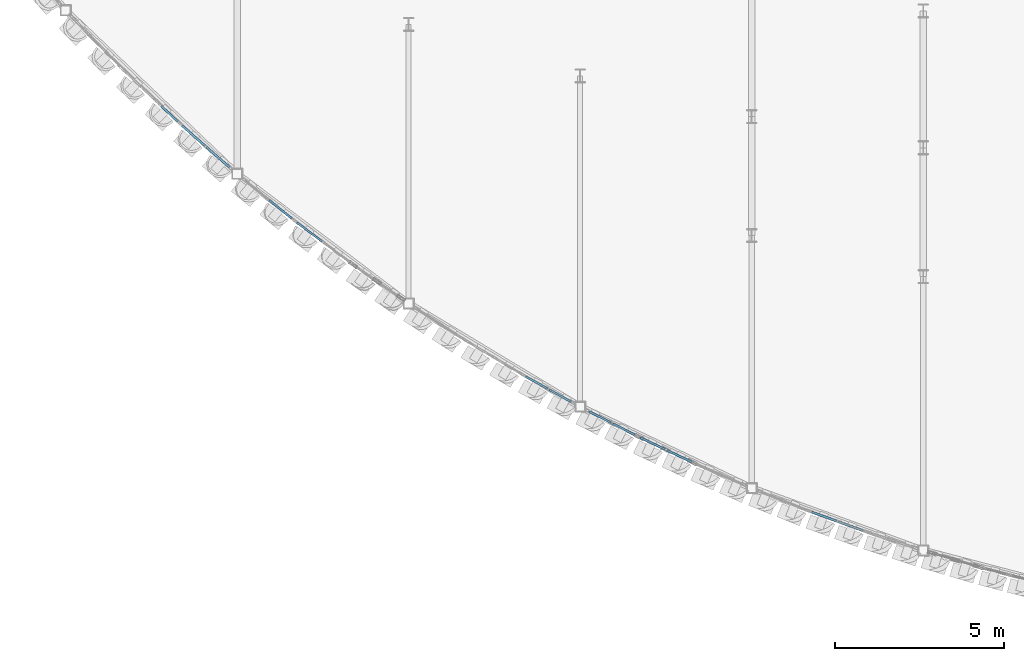
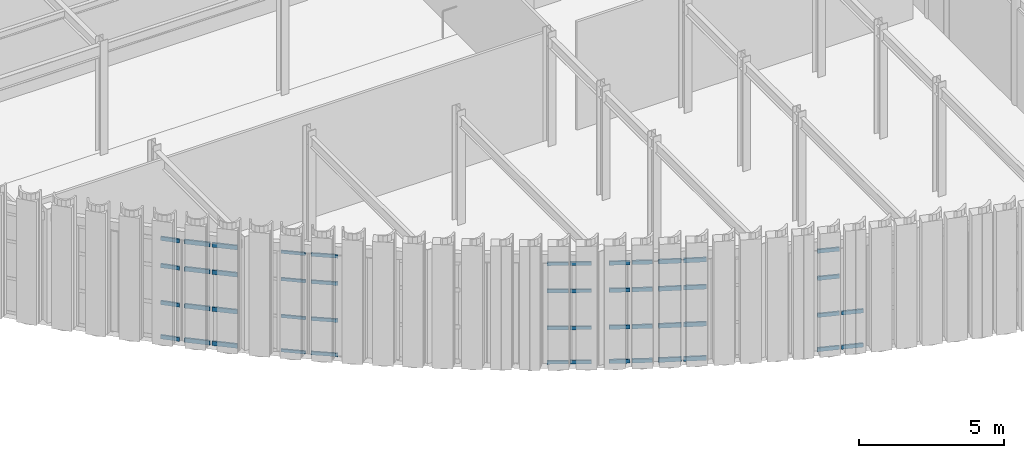
# One storey, part 71 of 126: 50 members, 8 elements without a shape of their own.
"""IFC4 building model written with IfcOpenShell, lengths in metres."""

from ifc_helpers import new_model, si_unit, direction, frame, origin, origin_2d, place, context, subcontext, project, spatial, hollow_rectangle, extrude, material, layer, layer_set, material_profile, profile_set, type_object, element, aggregate, save


model = new_model("IFC4")

# Units and contexts
model_context = context("Model", 3, precision=1e-05, world=origin(), true_north=direction((0.0, 1.0)))
body_context = subcontext(model_context, "Body", "Model", "MODEL_VIEW")
ifc_project = project(units=[si_unit("LENGTHUNIT", "METRE"), si_unit("AREAUNIT", "SQUARE_METRE"), si_unit("VOLUMEUNIT", "CUBIC_METRE"), si_unit("PLANEANGLEUNIT", "RADIAN"), si_unit("MASSUNIT", "GRAM", prefix="KILO")], contexts=[model_context])

# Site, building, storey
site_placement = place(None, origin())
site = spatial("IfcSite", under=ifc_project, at=site_placement, CompositionType="ELEMENT")
building_placement = place(site_placement, origin())
building = spatial("IfcBuilding", under=site, at=building_placement, Name="Solvadek Multi-Sports Hall", CompositionType="ELEMENT")
storey_placement = place(building_placement, frame((0.0, 0.0, 9.60009765625)))
storey = spatial("IfcBuildingStorey", under=building, at=storey_placement, Name="L02", CompositionType="ELEMENT", Elevation=9.60009765625)

# Curtain wall, members
ifc_material = material(Name="Anodised aluminium", Category="aluminium")
ifc_layer_1 = layer(ifc_material, 0.159912109375, Name="Anodised aluminium")
ifc_layer_set_1 = layer_set([ifc_layer_1], Name="Anodised aluminium")
curtain_wall_type_1 = type_object("IfcCurtainWallType", Name="ENV-CW-190X420", PredefinedType="USERDEFINED", material=ifc_layer_set_1)
curtain_wall_1_placement = place(storey_placement, origin())
curtain_wall_1 = element("IfcCurtainWall", 1, at=curtain_wall_1_placement, inside=storey, type_object=curtain_wall_type_1, Name="L02 Crescent Curved Curtain Wall #20", ObjectType="CURTAIN WALL", PredefinedType="USERDEFINED")
ifc_material_profile_1 = material_profile(ifc_material, hollow_rectangle(XDim=0.06005859375, YDim=0.1201171875, WallThickness=0.00390625, at=origin_2d()), Name="ALU-T 120x60x4")
ifc_profile_set_1 = profile_set([ifc_material_profile_1], Name="Anodised aluminium")
member_type_1 = type_object("IfcMemberType", Name="ENV-CWT-01", PredefinedType="USERDEFINED", material=ifc_profile_set_1)
member_1_placement = place(storey_placement, frame((42.58642578125, -0.2275390625, 0.02978515625), z_axis=(0.775659544347, -0.631151543817, 0.0), x_axis=(0.631151543817, 0.775659544347, 0.0)))
member_1 = element("IfcMember", 2, at=member_1_placement, type_object=member_type_1, Name="CW-09 transom 2.1", ObjectType="TRANSOM", PredefinedType="USERDEFINED", context=body_context, shape_type="SweptSolid", body=[
    extrude(hollow_rectangle(XDim=0.06005859375, YDim=0.1201171875, WallThickness=0.00390625, at=origin_2d()), origin(), (0.0, 0.0, 1.0), 0.85498046875),
])
member_2_placement = place(storey_placement, frame((42.58642578125, -0.2275390625, 1.469970703125), z_axis=(0.775659544347, -0.631151543817, 0.0), x_axis=(0.631151543817, 0.775659544347, 0.0)))
member_2 = element("IfcMember", 3, at=member_2_placement, type_object=member_type_1, Name="CW-09 transom 2.2", ObjectType="TRANSOM", PredefinedType="USERDEFINED", context=body_context, shape_type="SweptSolid", body=[
    extrude(hollow_rectangle(XDim=0.06005859375, YDim=0.1201171875, WallThickness=0.00390625, at=origin_2d()), origin(), (0.0, 0.0, 1.0), 0.85498046875),
])
member_3_placement = place(storey_placement, frame((42.58642578125, -0.2275390625, 3.02392578125), z_axis=(0.775659544347, -0.631151543817, 0.0), x_axis=(0.631151543817, 0.775659544347, 0.0)))
member_3 = element("IfcMember", 4, at=member_3_placement, type_object=member_type_1, Name="CW-09 transom 2.3", ObjectType="TRANSOM", PredefinedType="USERDEFINED", context=body_context, shape_type="SweptSolid", body=[
    extrude(hollow_rectangle(XDim=0.06005859375, YDim=0.1201171875, WallThickness=0.00390625, at=origin_2d()), origin(), (0.0, 0.0, 1.0), 0.85498046875),
])
member_4_placement = place(storey_placement, frame((42.58642578125, -0.2275390625, 4.169921875), z_axis=(0.775659544347, -0.631151543817, 0.0), x_axis=(0.631151543817, 0.775659544347, 0.0)))
member_4 = element("IfcMember", 5, at=member_4_placement, type_object=member_type_1, Name="CW-09 transom 2.4", ObjectType="TRANSOM", PredefinedType="USERDEFINED", context=body_context, shape_type="SweptSolid", body=[
    extrude(hollow_rectangle(XDim=0.06005859375, YDim=0.1201171875, WallThickness=0.00390625, at=origin_2d()), origin(), (0.0, 0.0, 1.0), 0.85498046875),
])
aggregate(curtain_wall_1, [member_1, member_2, member_3, member_4])

ifc_layer_2 = layer(ifc_material, 0.159912109375, Name="Anodised aluminium")
ifc_layer_set_2 = layer_set([ifc_layer_2], Name="Anodised aluminium")
curtain_wall_type_2 = type_object("IfcCurtainWallType", Name="ENV-CW-205X420", PredefinedType="USERDEFINED", material=ifc_layer_set_2)
curtain_wall_2_placement = place(storey_placement, origin())
curtain_wall_2 = element("IfcCurtainWall", 6, at=curtain_wall_2_placement, inside=storey, type_object=curtain_wall_type_2, Name="L02 Crescent Curved Curtain Wall #22", ObjectType="CURTAIN WALL", PredefinedType="USERDEFINED")
ifc_material_profile_2 = material_profile(ifc_material, hollow_rectangle(XDim=0.06005859375, YDim=0.139892578125, WallThickness=0.00390625, at=origin_2d()), Name="ALU-T 140x60x4")
ifc_profile_set_2 = profile_set([ifc_material_profile_2], Name="Anodised aluminium")
member_type_2 = type_object("IfcMemberType", Name="ENV-CWT-02", PredefinedType="USERDEFINED", material=ifc_profile_set_2)
member_5_placement = place(storey_placement, frame((43.399169921875, -0.884033203125, 0.02978515625), z_axis=(0.798546713545, -0.601932842007, 0.0), x_axis=(0.601932842007, 0.798546713545, 0.0)))
member_5 = element("IfcMember", 7, at=member_5_placement, type_object=member_type_2, Name="CW-10 transom 1.1", ObjectType="TRANSOM", PredefinedType="USERDEFINED", context=body_context, shape_type="SweptSolid", body=[
    extrude(hollow_rectangle(XDim=0.06005859375, YDim=0.139892578125, WallThickness=0.00390625, at=origin_2d()), origin(), (0.0, 0.0, 1.0), 0.9287109375),
])
member_6_placement = place(storey_placement, frame((43.399169921875, -0.884033203125, 1.469970703125), z_axis=(0.798546713545, -0.601932842007, 0.0), x_axis=(0.601932842007, 0.798546713545, 0.0)))
member_6 = element("IfcMember", 8, at=member_6_placement, type_object=member_type_2, Name="CW-10 transom 1.2", ObjectType="TRANSOM", PredefinedType="USERDEFINED", context=body_context, shape_type="SweptSolid", body=[
    extrude(hollow_rectangle(XDim=0.06005859375, YDim=0.139892578125, WallThickness=0.00390625, at=origin_2d()), origin(), (0.0, 0.0, 1.0), 0.9287109375),
])
member_7_placement = place(storey_placement, frame((43.399169921875, -0.884033203125, 3.02392578125), z_axis=(0.798546713545, -0.601932842007, 0.0), x_axis=(0.601932842007, 0.798546713545, 0.0)))
member_7 = element("IfcMember", 9, at=member_7_placement, type_object=member_type_2, Name="CW-10 transom 1.3", ObjectType="TRANSOM", PredefinedType="USERDEFINED", context=body_context, shape_type="SweptSolid", body=[
    extrude(hollow_rectangle(XDim=0.06005859375, YDim=0.139892578125, WallThickness=0.00390625, at=origin_2d()), origin(), (0.0, 0.0, 1.0), 0.9287109375),
])
member_8_placement = place(storey_placement, frame((43.399169921875, -0.884033203125, 4.169921875), z_axis=(0.798546713545, -0.601932842007, 0.0), x_axis=(0.601932842007, 0.798546713545, 0.0)))
member_8 = element("IfcMember", 10, at=member_8_placement, type_object=member_type_2, Name="CW-10 transom 1.4", ObjectType="TRANSOM", PredefinedType="USERDEFINED", context=body_context, shape_type="SweptSolid", body=[
    extrude(hollow_rectangle(XDim=0.06005859375, YDim=0.139892578125, WallThickness=0.00390625, at=origin_2d()), origin(), (0.0, 0.0, 1.0), 0.9287109375),
])
aggregate(curtain_wall_2, [member_5, member_6, member_7, member_8])

ifc_layer_3 = layer(ifc_material, 0.159912109375, Name="Anodised aluminium")
ifc_layer_set_3 = layer_set([ifc_layer_3], Name="Anodised aluminium")
curtain_wall_type_3 = type_object("IfcCurtainWallType", Name="ENV-CW-166X420", PredefinedType="USERDEFINED", material=ifc_layer_set_3)
curtain_wall_3_placement = place(storey_placement, origin())
curtain_wall_3 = element("IfcCurtainWall", 11, at=curtain_wall_3_placement, inside=storey, type_object=curtain_wall_type_3, Name="L02 Crescent Curved Curtain Wall #30", ObjectType="CURTAIN WALL", PredefinedType="USERDEFINED")
member_9_placement = place(storey_placement, frame((50.15380859375, -5.431884765625, 0.02978515625), z_axis=(0.873826950853, -0.486237040921, 0.0), x_axis=(0.486237040921, 0.873826950853, 0.0)))
member_9 = element("IfcMember", 12, at=member_9_placement, type_object=member_type_2, Name="CW-14 transom 1.1", ObjectType="TRANSOM", PredefinedType="USERDEFINED", context=body_context, shape_type="SweptSolid", body=[
    extrude(hollow_rectangle(XDim=0.06005859375, YDim=0.139892578125, WallThickness=0.00390625, at=origin_2d()), origin(), (0.0, 0.0, 1.0), 0.732666015625),
])
member_10_placement = place(storey_placement, frame((50.15380859375, -5.431884765625, 1.469970703125), z_axis=(0.873826950853, -0.486237040921, 0.0), x_axis=(0.486237040921, 0.873826950853, 0.0)))
member_10 = element("IfcMember", 13, at=member_10_placement, type_object=member_type_2, Name="CW-14 transom 1.2", ObjectType="TRANSOM", PredefinedType="USERDEFINED", context=body_context, shape_type="SweptSolid", body=[
    extrude(hollow_rectangle(XDim=0.06005859375, YDim=0.139892578125, WallThickness=0.00390625, at=origin_2d()), origin(), (0.0, 0.0, 1.0), 0.732666015625),
])
member_11_placement = place(storey_placement, frame((50.15380859375, -5.431884765625, 3.02392578125), z_axis=(0.873826950853, -0.486237040921, 0.0), x_axis=(0.486237040921, 0.873826950853, 0.0)))
member_11 = element("IfcMember", 14, at=member_11_placement, type_object=member_type_2, Name="CW-14 transom 1.3", ObjectType="TRANSOM", PredefinedType="USERDEFINED", context=body_context, shape_type="SweptSolid", body=[
    extrude(hollow_rectangle(XDim=0.06005859375, YDim=0.139892578125, WallThickness=0.00390625, at=origin_2d()), origin(), (0.0, 0.0, 1.0), 0.732666015625),
])
member_12_placement = place(storey_placement, frame((50.15380859375, -5.431884765625, 4.169921875), z_axis=(0.873826950853, -0.486237040921, 0.0), x_axis=(0.486237040921, 0.873826950853, 0.0)))
member_12 = element("IfcMember", 15, at=member_12_placement, type_object=member_type_2, Name="CW-14 transom 1.4", ObjectType="TRANSOM", PredefinedType="USERDEFINED", context=body_context, shape_type="SweptSolid", body=[
    extrude(hollow_rectangle(XDim=0.06005859375, YDim=0.139892578125, WallThickness=0.00390625, at=origin_2d()), origin(), (0.0, 0.0, 1.0), 0.732666015625),
])
member_13_placement = place(storey_placement, frame((50.850830078125, -5.819580078125, 0.02978515625), z_axis=(0.873905709662, -0.486095474799, 0.0), x_axis=(0.486095474799, 0.873905709662, 0.0)))
member_13 = element("IfcMember", 16, at=member_13_placement, type_object=member_type_2, Name="CW-14 transom 2.1", ObjectType="TRANSOM", PredefinedType="USERDEFINED", context=body_context, shape_type="SweptSolid", body=[
    extrude(hollow_rectangle(XDim=0.06005859375, YDim=0.139892578125, WallThickness=0.00390625, at=origin_2d()), origin(), (0.0, 0.0, 1.0), 0.732666015625),
])
member_14_placement = place(storey_placement, frame((50.850830078125, -5.819580078125, 1.469970703125), z_axis=(0.873905709662, -0.486095474799, 0.0), x_axis=(0.486095474799, 0.873905709662, 0.0)))
member_14 = element("IfcMember", 17, at=member_14_placement, type_object=member_type_2, Name="CW-14 transom 2.2", ObjectType="TRANSOM", PredefinedType="USERDEFINED", context=body_context, shape_type="SweptSolid", body=[
    extrude(hollow_rectangle(XDim=0.06005859375, YDim=0.139892578125, WallThickness=0.00390625, at=origin_2d()), origin(), (0.0, 0.0, 1.0), 0.732666015625),
])
member_15_placement = place(storey_placement, frame((50.850830078125, -5.819580078125, 3.02392578125), z_axis=(0.873905709662, -0.486095474799, 0.0), x_axis=(0.486095474799, 0.873905709662, 0.0)))
member_15 = element("IfcMember", 18, at=member_15_placement, type_object=member_type_2, Name="CW-14 transom 2.3", ObjectType="TRANSOM", PredefinedType="USERDEFINED", context=body_context, shape_type="SweptSolid", body=[
    extrude(hollow_rectangle(XDim=0.06005859375, YDim=0.139892578125, WallThickness=0.00390625, at=origin_2d()), origin(), (0.0, 0.0, 1.0), 0.732666015625),
])
member_16_placement = place(storey_placement, frame((50.850830078125, -5.819580078125, 4.169921875), z_axis=(0.873905709662, -0.486095474799, 0.0), x_axis=(0.486095474799, 0.873905709662, 0.0)))
member_16 = element("IfcMember", 19, at=member_16_placement, type_object=member_type_2, Name="CW-14 transom 2.4", ObjectType="TRANSOM", PredefinedType="USERDEFINED", context=body_context, shape_type="SweptSolid", body=[
    extrude(hollow_rectangle(XDim=0.06005859375, YDim=0.139892578125, WallThickness=0.00390625, at=origin_2d()), origin(), (0.0, 0.0, 1.0), 0.732666015625),
])
aggregate(curtain_wall_3, [member_9, member_10, member_11, member_12, member_13, member_14, member_15, member_16])

ifc_layer_4 = layer(ifc_material, 0.159912109375, Name="Anodised aluminium")
ifc_layer_set_4 = layer_set([ifc_layer_4], Name="Anodised aluminium")
curtain_wall_type_4 = type_object("IfcCurtainWallType", Name="ENV-CW-227X420", PredefinedType="USERDEFINED", material=ifc_layer_set_4)
curtain_wall_4_placement = place(storey_placement, origin())
curtain_wall_4 = element("IfcCurtainWall", 20, at=curtain_wall_4_placement, inside=storey, type_object=curtain_wall_type_4, Name="L02 Crescent Curved Curtain Wall #16", ObjectType="CURTAIN WALL", PredefinedType="USERDEFINED")
ifc_material_profile_3 = material_profile(ifc_material, hollow_rectangle(XDim=0.06494140625, YDim=0.159912109375, WallThickness=0.00390625, at=origin_2d()), Name="ALU-T 160x65x4")
ifc_profile_set_3 = profile_set([ifc_material_profile_3], Name="Anodised aluminium")
member_type_3 = type_object("IfcMemberType", Name="ENV-CWT-03", PredefinedType="USERDEFINED", material=ifc_profile_set_3)
member_17_placement = place(storey_placement, frame((39.40185546875, 2.54833984375, 0.032470703125), z_axis=(0.724669722166, -0.689096360298, 0.0), x_axis=(0.689096360298, 0.724669722166, 0.0)))
member_17 = element("IfcMember", 21, at=member_17_placement, type_object=member_type_3, Name="CW-06 transom 3.1", ObjectType="TRANSOM", PredefinedType="USERDEFINED", context=body_context, shape_type="SweptSolid", body=[
    extrude(hollow_rectangle(XDim=0.06494140625, YDim=0.159912109375, WallThickness=0.00390625, at=origin_2d()), origin(), (0.0, 0.0, 1.0), 0.665771484375),
])
member_18_placement = place(storey_placement, frame((39.40185546875, 2.54833984375, 1.469970703125), z_axis=(0.724669722166, -0.689096360298, 0.0), x_axis=(0.689096360298, 0.724669722166, 0.0)))
member_18 = element("IfcMember", 22, at=member_18_placement, type_object=member_type_3, Name="CW-06 transom 3.2", ObjectType="TRANSOM", PredefinedType="USERDEFINED", context=body_context, shape_type="SweptSolid", body=[
    extrude(hollow_rectangle(XDim=0.06494140625, YDim=0.159912109375, WallThickness=0.00390625, at=origin_2d()), origin(), (0.0, 0.0, 1.0), 0.665771484375),
])
member_19_placement = place(storey_placement, frame((39.40185546875, 2.54833984375, 3.02392578125), z_axis=(0.724669722166, -0.689096360298, 0.0), x_axis=(0.689096360298, 0.724669722166, 0.0)))
member_19 = element("IfcMember", 23, at=member_19_placement, type_object=member_type_3, Name="CW-06 transom 3.3", ObjectType="TRANSOM", PredefinedType="USERDEFINED", context=body_context, shape_type="SweptSolid", body=[
    extrude(hollow_rectangle(XDim=0.06494140625, YDim=0.159912109375, WallThickness=0.00390625, at=origin_2d()), origin(), (0.0, 0.0, 1.0), 0.665771484375),
])
member_20_placement = place(storey_placement, frame((39.40185546875, 2.54833984375, 4.16748046875), z_axis=(0.724669722166, -0.689096360298, 0.0), x_axis=(0.689096360298, 0.724669722166, 0.0)))
member_20 = element("IfcMember", 24, at=member_20_placement, type_object=member_type_3, Name="CW-06 transom 3.4", ObjectType="TRANSOM", PredefinedType="USERDEFINED", context=body_context, shape_type="SweptSolid", body=[
    extrude(hollow_rectangle(XDim=0.06494140625, YDim=0.159912109375, WallThickness=0.00390625, at=origin_2d()), origin(), (0.0, 0.0, 1.0), 0.665771484375),
])
aggregate(curtain_wall_4, [member_17, member_18, member_19, member_20])

ifc_layer_5 = layer(ifc_material, 0.159912109375, Name="Anodised aluminium")
ifc_layer_set_5 = layer_set([ifc_layer_5], Name="Anodised aluminium")
curtain_wall_type_5 = type_object("IfcCurtainWallType", Name="ENV-CW-163X420", PredefinedType="USERDEFINED", material=ifc_layer_set_5)
curtain_wall_5_placement = place(storey_placement, origin())
curtain_wall_5 = element("IfcCurtainWall", 25, at=curtain_wall_5_placement, inside=storey, type_object=curtain_wall_type_5, Name="L02 Crescent Curved Curtain Wall #32", ObjectType="CURTAIN WALL", PredefinedType="USERDEFINED")
member_21_placement = place(storey_placement, frame((52.02880859375, -6.46337890625, 0.032470703125), z_axis=(0.889462116456, -0.457008909529, 0.0), x_axis=(0.457008909529, 0.889462116456, 0.0)))
member_21 = element("IfcMember", 26, at=member_21_placement, type_object=member_type_3, Name="CW-15 transom 1.1", ObjectType="TRANSOM", PredefinedType="USERDEFINED", context=body_context, shape_type="SweptSolid", body=[
    extrude(hollow_rectangle(XDim=0.06494140625, YDim=0.159912109375, WallThickness=0.00390625, at=origin_2d()), origin(), (0.0, 0.0, 1.0), 0.7158203125),
])
member_22_placement = place(storey_placement, frame((52.02880859375, -6.46337890625, 1.469970703125), z_axis=(0.889462116456, -0.457008909529, 0.0), x_axis=(0.457008909529, 0.889462116456, 0.0)))
member_22 = element("IfcMember", 27, at=member_22_placement, type_object=member_type_3, Name="CW-15 transom 1.2", ObjectType="TRANSOM", PredefinedType="USERDEFINED", context=body_context, shape_type="SweptSolid", body=[
    extrude(hollow_rectangle(XDim=0.06494140625, YDim=0.159912109375, WallThickness=0.00390625, at=origin_2d()), origin(), (0.0, 0.0, 1.0), 0.7158203125),
])
member_23_placement = place(storey_placement, frame((52.02880859375, -6.46337890625, 3.02392578125), z_axis=(0.889462116456, -0.457008909529, 0.0), x_axis=(0.457008909529, 0.889462116456, 0.0)))
member_23 = element("IfcMember", 28, at=member_23_placement, type_object=member_type_3, Name="CW-15 transom 1.3", ObjectType="TRANSOM", PredefinedType="USERDEFINED", context=body_context, shape_type="SweptSolid", body=[
    extrude(hollow_rectangle(XDim=0.06494140625, YDim=0.159912109375, WallThickness=0.00390625, at=origin_2d()), origin(), (0.0, 0.0, 1.0), 0.7158203125),
])
member_24_placement = place(storey_placement, frame((52.02880859375, -6.46337890625, 4.16748046875), z_axis=(0.889462116456, -0.457008909529, 0.0), x_axis=(0.457008909529, 0.889462116456, 0.0)))
member_24 = element("IfcMember", 29, at=member_24_placement, type_object=member_type_3, Name="CW-15 transom 1.4", ObjectType="TRANSOM", PredefinedType="USERDEFINED", context=body_context, shape_type="SweptSolid", body=[
    extrude(hollow_rectangle(XDim=0.06494140625, YDim=0.159912109375, WallThickness=0.00390625, at=origin_2d()), origin(), (0.0, 0.0, 1.0), 0.7158203125),
])
member_25_placement = place(storey_placement, frame((52.723388671875, -6.8203125, 0.032470703125), z_axis=(0.889462116456, -0.457008909529, 0.0), x_axis=(0.457008909529, 0.889462116456, 0.0)))
member_25 = element("IfcMember", 30, at=member_25_placement, type_object=member_type_3, Name="CW-15 transom 2.1", ObjectType="TRANSOM", PredefinedType="USERDEFINED", context=body_context, shape_type="SweptSolid", body=[
    extrude(hollow_rectangle(XDim=0.06494140625, YDim=0.159912109375, WallThickness=0.00390625, at=origin_2d()), origin(), (0.0, 0.0, 1.0), 0.7158203125),
])
member_26_placement = place(storey_placement, frame((52.723388671875, -6.8203125, 1.469970703125), z_axis=(0.889462116456, -0.457008909529, 0.0), x_axis=(0.457008909529, 0.889462116456, 0.0)))
member_26 = element("IfcMember", 31, at=member_26_placement, type_object=member_type_3, Name="CW-15 transom 2.2", ObjectType="TRANSOM", PredefinedType="USERDEFINED", context=body_context, shape_type="SweptSolid", body=[
    extrude(hollow_rectangle(XDim=0.06494140625, YDim=0.159912109375, WallThickness=0.00390625, at=origin_2d()), origin(), (0.0, 0.0, 1.0), 0.7158203125),
])
member_27_placement = place(storey_placement, frame((52.723388671875, -6.8203125, 3.02392578125), z_axis=(0.889462116456, -0.457008909529, 0.0), x_axis=(0.457008909529, 0.889462116456, 0.0)))
member_27 = element("IfcMember", 32, at=member_27_placement, type_object=member_type_3, Name="CW-15 transom 2.3", ObjectType="TRANSOM", PredefinedType="USERDEFINED", context=body_context, shape_type="SweptSolid", body=[
    extrude(hollow_rectangle(XDim=0.06494140625, YDim=0.159912109375, WallThickness=0.00390625, at=origin_2d()), origin(), (0.0, 0.0, 1.0), 0.7158203125),
])
member_28_placement = place(storey_placement, frame((52.723388671875, -6.8203125, 4.16748046875), z_axis=(0.889462116456, -0.457008909529, 0.0), x_axis=(0.457008909529, 0.889462116456, 0.0)))
member_28 = element("IfcMember", 33, at=member_28_placement, type_object=member_type_3, Name="CW-15 transom 2.4", ObjectType="TRANSOM", PredefinedType="USERDEFINED", context=body_context, shape_type="SweptSolid", body=[
    extrude(hollow_rectangle(XDim=0.06494140625, YDim=0.159912109375, WallThickness=0.00390625, at=origin_2d()), origin(), (0.0, 0.0, 1.0), 0.7158203125),
])
aggregate(curtain_wall_5, [member_21, member_22, member_23, member_24, member_25, member_26, member_27, member_28])

ifc_layer_6 = layer(ifc_material, 0.159912109375, Name="Anodised aluminium")
ifc_layer_set_6 = layer_set([ifc_layer_6], Name="Anodised aluminium")
curtain_wall_type_6 = type_object("IfcCurtainWallType", Name="ENV-CW-173X420", PredefinedType="USERDEFINED", material=ifc_layer_set_6)
curtain_wall_6_placement = place(storey_placement, origin())
curtain_wall_6 = element("IfcCurtainWall", 34, at=curtain_wall_6_placement, inside=storey, type_object=curtain_wall_type_6, Name="L02 Crescent Curved Curtain Wall #40", ObjectType="CURTAIN WALL", PredefinedType="USERDEFINED")
member_29_placement = place(storey_placement, frame((58.594482421875, -9.4287109375, 0.032470703125), z_axis=(0.939941528436, -0.341335499358, 0.0), x_axis=(0.341335499358, 0.939941528436, 0.0)))
member_29 = element("IfcMember", 35, at=member_29_placement, type_object=member_type_3, Name="CW-19 transom 1.1", ObjectType="TRANSOM", PredefinedType="USERDEFINED", context=body_context, shape_type="SweptSolid", body=[
    extrude(hollow_rectangle(XDim=0.06494140625, YDim=0.159912109375, WallThickness=0.00390625, at=origin_2d()), origin(), (0.0, 0.0, 1.0), 0.76953125),
])
member_30_placement = place(storey_placement, frame((58.594482421875, -9.4287109375, 1.469970703125), z_axis=(0.939941528436, -0.341335499358, 0.0), x_axis=(0.341335499358, 0.939941528436, 0.0)))
member_30 = element("IfcMember", 36, at=member_30_placement, type_object=member_type_3, Name="CW-19 transom 1.2", ObjectType="TRANSOM", PredefinedType="USERDEFINED", context=body_context, shape_type="SweptSolid", body=[
    extrude(hollow_rectangle(XDim=0.06494140625, YDim=0.159912109375, WallThickness=0.00390625, at=origin_2d()), origin(), (0.0, 0.0, 1.0), 0.76953125),
])
member_31_placement = place(storey_placement, frame((58.594482421875, -9.4287109375, 3.02392578125), z_axis=(0.939941528436, -0.341335499358, 0.0), x_axis=(0.341335499358, 0.939941528436, 0.0)))
member_31 = element("IfcMember", 37, at=member_31_placement, type_object=member_type_3, Name="CW-19 transom 1.3", ObjectType="TRANSOM", PredefinedType="USERDEFINED", context=body_context, shape_type="SweptSolid", body=[
    extrude(hollow_rectangle(XDim=0.06494140625, YDim=0.159912109375, WallThickness=0.00390625, at=origin_2d()), origin(), (0.0, 0.0, 1.0), 0.76953125),
])
member_32_placement = place(storey_placement, frame((58.594482421875, -9.4287109375, 4.16748046875), z_axis=(0.939941528436, -0.341335499358, 0.0), x_axis=(0.341335499358, 0.939941528436, 0.0)))
member_32 = element("IfcMember", 38, at=member_32_placement, type_object=member_type_3, Name="CW-19 transom 1.4", ObjectType="TRANSOM", PredefinedType="USERDEFINED", context=body_context, shape_type="SweptSolid", body=[
    extrude(hollow_rectangle(XDim=0.06494140625, YDim=0.159912109375, WallThickness=0.00390625, at=origin_2d()), origin(), (0.0, 0.0, 1.0), 0.76953125),
])
member_33_placement = place(storey_placement, frame((59.379150390625, -9.71337890625, 0.032470703125), z_axis=(0.939941528436, -0.341335499358, 0.0), x_axis=(0.341335499358, 0.939941528436, 0.0)))
member_33 = element("IfcMember", 39, at=member_33_placement, type_object=member_type_3, Name="CW-19 transom 2.1", ObjectType="TRANSOM", PredefinedType="USERDEFINED", context=body_context, shape_type="SweptSolid", body=[
    extrude(hollow_rectangle(XDim=0.06494140625, YDim=0.159912109375, WallThickness=0.00390625, at=origin_2d()), origin(), (0.0, 0.0, 1.0), 0.76953125),
])
member_34_placement = place(storey_placement, frame((59.379150390625, -9.71337890625, 1.469970703125), z_axis=(0.939941528436, -0.341335499358, 0.0), x_axis=(0.341335499358, 0.939941528436, 0.0)))
member_34 = element("IfcMember", 40, at=member_34_placement, type_object=member_type_3, Name="CW-19 transom 2.2", ObjectType="TRANSOM", PredefinedType="USERDEFINED", context=body_context, shape_type="SweptSolid", body=[
    extrude(hollow_rectangle(XDim=0.06494140625, YDim=0.159912109375, WallThickness=0.00390625, at=origin_2d()), origin(), (0.0, 0.0, 1.0), 0.76953125),
])
aggregate(curtain_wall_6, [member_29, member_30, member_31, member_32, member_33, member_34])

ifc_layer_7 = layer(ifc_material, 0.159912109375, Name="Anodised aluminium")
ifc_layer_set_7 = layer_set([ifc_layer_7], Name="Anodised aluminium")
curtain_wall_type_7 = type_object("IfcCurtainWallType", Name="ENV-CW-198X420", PredefinedType="USERDEFINED", material=ifc_layer_set_7)
curtain_wall_7_placement = place(storey_placement, origin())
curtain_wall_7 = element("IfcCurtainWall", 41, at=curtain_wall_7_placement, inside=storey, type_object=curtain_wall_type_7, Name="L02 Crescent Curved Curtain Wall #18", ObjectType="CURTAIN WALL", PredefinedType="USERDEFINED")
ifc_material_profile_4 = material_profile(ifc_material, hollow_rectangle(XDim=0.06494140625, YDim=0.179931640625, WallThickness=0.0048828125, at=origin_2d()), Name="ALU-T 180x65x5")
ifc_profile_set_4 = profile_set([ifc_material_profile_4], Name="Anodised aluminium")
member_type_4 = type_object("IfcMemberType", Name="ENV-CWT-04", PredefinedType="USERDEFINED", material=ifc_profile_set_4)
member_35_placement = place(storey_placement, frame((40.01708984375, 1.968017578125, 0.032470703125), z_axis=(0.751193504386, -0.660082054723, 0.0), x_axis=(0.660082054723, 0.751193504386, 0.0)))
member_35 = element("IfcMember", 42, at=member_35_placement, type_object=member_type_4, Name="CW-08 transom 1.1", ObjectType="TRANSOM", PredefinedType="USERDEFINED", context=body_context, shape_type="SweptSolid", body=[
    extrude(hollow_rectangle(XDim=0.06494140625, YDim=0.179931640625, WallThickness=0.0048828125, at=origin_2d()), origin(), (0.0, 0.0, 1.0), 0.897705078125),
])
member_36_placement = place(storey_placement, frame((40.01708984375, 1.968017578125, 1.469970703125), z_axis=(0.751193504386, -0.660082054723, 0.0), x_axis=(0.660082054723, 0.751193504386, 0.0)))
member_36 = element("IfcMember", 43, at=member_36_placement, type_object=member_type_4, Name="CW-08 transom 1.2", ObjectType="TRANSOM", PredefinedType="USERDEFINED", context=body_context, shape_type="SweptSolid", body=[
    extrude(hollow_rectangle(XDim=0.06494140625, YDim=0.179931640625, WallThickness=0.0048828125, at=origin_2d()), origin(), (0.0, 0.0, 1.0), 0.897705078125),
])
member_37_placement = place(storey_placement, frame((40.01708984375, 1.968017578125, 3.02392578125), z_axis=(0.751193504386, -0.660082054723, 0.0), x_axis=(0.660082054723, 0.751193504386, 0.0)))
member_37 = element("IfcMember", 44, at=member_37_placement, type_object=member_type_4, Name="CW-08 transom 1.3", ObjectType="TRANSOM", PredefinedType="USERDEFINED", context=body_context, shape_type="SweptSolid", body=[
    extrude(hollow_rectangle(XDim=0.06494140625, YDim=0.179931640625, WallThickness=0.0048828125, at=origin_2d()), origin(), (0.0, 0.0, 1.0), 0.897705078125),
])
member_38_placement = place(storey_placement, frame((40.01708984375, 1.968017578125, 4.16748046875), z_axis=(0.751193504386, -0.660082054723, 0.0), x_axis=(0.660082054723, 0.751193504386, 0.0)))
member_38 = element("IfcMember", 45, at=member_38_placement, type_object=member_type_4, Name="CW-08 transom 1.4", ObjectType="TRANSOM", PredefinedType="USERDEFINED", context=body_context, shape_type="SweptSolid", body=[
    extrude(hollow_rectangle(XDim=0.06494140625, YDim=0.179931640625, WallThickness=0.0048828125, at=origin_2d()), origin(), (0.0, 0.0, 1.0), 0.897705078125),
])
member_39_placement = place(storey_placement, frame((40.736572265625, 1.3359375, 0.032470703125), z_axis=(0.751311969621, -0.659947213272, 0.0), x_axis=(0.659947213272, 0.751311969621, 0.0)))
member_39 = element("IfcMember", 46, at=member_39_placement, type_object=member_type_4, Name="CW-08 transom 2.1", ObjectType="TRANSOM", PredefinedType="USERDEFINED", context=body_context, shape_type="SweptSolid", body=[
    extrude(hollow_rectangle(XDim=0.06494140625, YDim=0.179931640625, WallThickness=0.0048828125, at=origin_2d()), origin(), (0.0, 0.0, 1.0), 0.89794921875),
])
member_40_placement = place(storey_placement, frame((40.736572265625, 1.3359375, 1.469970703125), z_axis=(0.751311969621, -0.659947213272, 0.0), x_axis=(0.659947213272, 0.751311969621, 0.0)))
member_40 = element("IfcMember", 47, at=member_40_placement, type_object=member_type_4, Name="CW-08 transom 2.2", ObjectType="TRANSOM", PredefinedType="USERDEFINED", context=body_context, shape_type="SweptSolid", body=[
    extrude(hollow_rectangle(XDim=0.06494140625, YDim=0.179931640625, WallThickness=0.0048828125, at=origin_2d()), origin(), (0.0, 0.0, 1.0), 0.89794921875),
])
member_41_placement = place(storey_placement, frame((40.736572265625, 1.3359375, 3.02392578125), z_axis=(0.751311969621, -0.659947213272, 0.0), x_axis=(0.659947213272, 0.751311969621, 0.0)))
member_41 = element("IfcMember", 48, at=member_41_placement, type_object=member_type_4, Name="CW-08 transom 2.3", ObjectType="TRANSOM", PredefinedType="USERDEFINED", context=body_context, shape_type="SweptSolid", body=[
    extrude(hollow_rectangle(XDim=0.06494140625, YDim=0.179931640625, WallThickness=0.0048828125, at=origin_2d()), origin(), (0.0, 0.0, 1.0), 0.89794921875),
])
member_42_placement = place(storey_placement, frame((40.736572265625, 1.3359375, 4.16748046875), z_axis=(0.751311969621, -0.659947213272, 0.0), x_axis=(0.659947213272, 0.751311969621, 0.0)))
member_42 = element("IfcMember", 49, at=member_42_placement, type_object=member_type_4, Name="CW-08 transom 2.4", ObjectType="TRANSOM", PredefinedType="USERDEFINED", context=body_context, shape_type="SweptSolid", body=[
    extrude(hollow_rectangle(XDim=0.06494140625, YDim=0.179931640625, WallThickness=0.0048828125, at=origin_2d()), origin(), (0.0, 0.0, 1.0), 0.89794921875),
])
aggregate(curtain_wall_7, [member_35, member_36, member_37, member_38, member_39, member_40, member_41, member_42])

ifc_layer_8 = layer(ifc_material, 0.159912109375, Name="Anodised aluminium")
ifc_layer_set_8 = layer_set([ifc_layer_8], Name="Anodised aluminium")
curtain_wall_type_8 = type_object("IfcCurtainWallType", Name="ENV-CW-181X420", PredefinedType="USERDEFINED", material=ifc_layer_set_8)
curtain_wall_8_placement = place(storey_placement, origin())
curtain_wall_8 = element("IfcCurtainWall", 50, at=curtain_wall_8_placement, inside=storey, type_object=curtain_wall_type_8, Name="L02 Crescent Curved Curtain Wall #34", ObjectType="CURTAIN WALL", PredefinedType="USERDEFINED")
member_43_placement = place(storey_placement, frame((53.534912109375, -7.233642578125, 0.032470703125), z_axis=(0.903706700686, -0.428152074775, 0.0), x_axis=(0.428152074775, 0.903706700686, 0.0)))
member_43 = element("IfcMember", 51, at=member_43_placement, type_object=member_type_4, Name="CW-16 transom 1.1", ObjectType="TRANSOM", PredefinedType="USERDEFINED", context=body_context, shape_type="SweptSolid", body=[
    extrude(hollow_rectangle(XDim=0.06494140625, YDim=0.179931640625, WallThickness=0.0048828125, at=origin_2d()), origin(), (0.0, 0.0, 1.0), 0.79833984375),
])
member_44_placement = place(storey_placement, frame((53.534912109375, -7.233642578125, 1.469970703125), z_axis=(0.903706700686, -0.428152074775, 0.0), x_axis=(0.428152074775, 0.903706700686, 0.0)))
member_44 = element("IfcMember", 52, at=member_44_placement, type_object=member_type_4, Name="CW-16 transom 1.2", ObjectType="TRANSOM", PredefinedType="USERDEFINED", context=body_context, shape_type="SweptSolid", body=[
    extrude(hollow_rectangle(XDim=0.06494140625, YDim=0.179931640625, WallThickness=0.0048828125, at=origin_2d()), origin(), (0.0, 0.0, 1.0), 0.79833984375),
])
member_45_placement = place(storey_placement, frame((53.534912109375, -7.233642578125, 3.02392578125), z_axis=(0.903706700686, -0.428152074775, 0.0), x_axis=(0.428152074775, 0.903706700686, 0.0)))
member_45 = element("IfcMember", 53, at=member_45_placement, type_object=member_type_4, Name="CW-16 transom 1.3", ObjectType="TRANSOM", PredefinedType="USERDEFINED", context=body_context, shape_type="SweptSolid", body=[
    extrude(hollow_rectangle(XDim=0.06494140625, YDim=0.179931640625, WallThickness=0.0048828125, at=origin_2d()), origin(), (0.0, 0.0, 1.0), 0.79833984375),
])
member_46_placement = place(storey_placement, frame((53.534912109375, -7.233642578125, 4.16748046875), z_axis=(0.903706700686, -0.428152074775, 0.0), x_axis=(0.428152074775, 0.903706700686, 0.0)))
member_46 = element("IfcMember", 54, at=member_46_placement, type_object=member_type_4, Name="CW-16 transom 1.4", ObjectType="TRANSOM", PredefinedType="USERDEFINED", context=body_context, shape_type="SweptSolid", body=[
    extrude(hollow_rectangle(XDim=0.06494140625, YDim=0.179931640625, WallThickness=0.0048828125, at=origin_2d()), origin(), (0.0, 0.0, 1.0), 0.79833984375),
])
member_47_placement = place(storey_placement, frame((54.319580078125, -7.60546875, 0.032470703125), z_axis=(0.903706700686, -0.428152074775, 0.0), x_axis=(0.428152074775, 0.903706700686, 0.0)))
member_47 = element("IfcMember", 55, at=member_47_placement, type_object=member_type_4, Name="CW-16 transom 2.1", ObjectType="TRANSOM", PredefinedType="USERDEFINED", context=body_context, shape_type="SweptSolid", body=[
    extrude(hollow_rectangle(XDim=0.06494140625, YDim=0.179931640625, WallThickness=0.0048828125, at=origin_2d()), origin(), (0.0, 0.0, 1.0), 0.79833984375),
])
member_48_placement = place(storey_placement, frame((54.319580078125, -7.60546875, 1.469970703125), z_axis=(0.903706700686, -0.428152074775, 0.0), x_axis=(0.428152074775, 0.903706700686, 0.0)))
member_48 = element("IfcMember", 56, at=member_48_placement, type_object=member_type_4, Name="CW-16 transom 2.2", ObjectType="TRANSOM", PredefinedType="USERDEFINED", context=body_context, shape_type="SweptSolid", body=[
    extrude(hollow_rectangle(XDim=0.06494140625, YDim=0.179931640625, WallThickness=0.0048828125, at=origin_2d()), origin(), (0.0, 0.0, 1.0), 0.79833984375),
])
member_49_placement = place(storey_placement, frame((54.319580078125, -7.60546875, 3.02392578125), z_axis=(0.903706700686, -0.428152074775, 0.0), x_axis=(0.428152074775, 0.903706700686, 0.0)))
member_49 = element("IfcMember", 57, at=member_49_placement, type_object=member_type_4, Name="CW-16 transom 2.3", ObjectType="TRANSOM", PredefinedType="USERDEFINED", context=body_context, shape_type="SweptSolid", body=[
    extrude(hollow_rectangle(XDim=0.06494140625, YDim=0.179931640625, WallThickness=0.0048828125, at=origin_2d()), origin(), (0.0, 0.0, 1.0), 0.79833984375),
])
member_50_placement = place(storey_placement, frame((54.319580078125, -7.60546875, 4.16748046875), z_axis=(0.903706700686, -0.428152074775, 0.0), x_axis=(0.428152074775, 0.903706700686, 0.0)))
member_50 = element("IfcMember", 58, at=member_50_placement, type_object=member_type_4, Name="CW-16 transom 2.4", ObjectType="TRANSOM", PredefinedType="USERDEFINED", context=body_context, shape_type="SweptSolid", body=[
    extrude(hollow_rectangle(XDim=0.06494140625, YDim=0.179931640625, WallThickness=0.0048828125, at=origin_2d()), origin(), (0.0, 0.0, 1.0), 0.79833984375),
])
aggregate(curtain_wall_8, [member_43, member_44, member_45, member_46, member_47, member_48, member_49, member_50])

save(model, "model.ifc")
